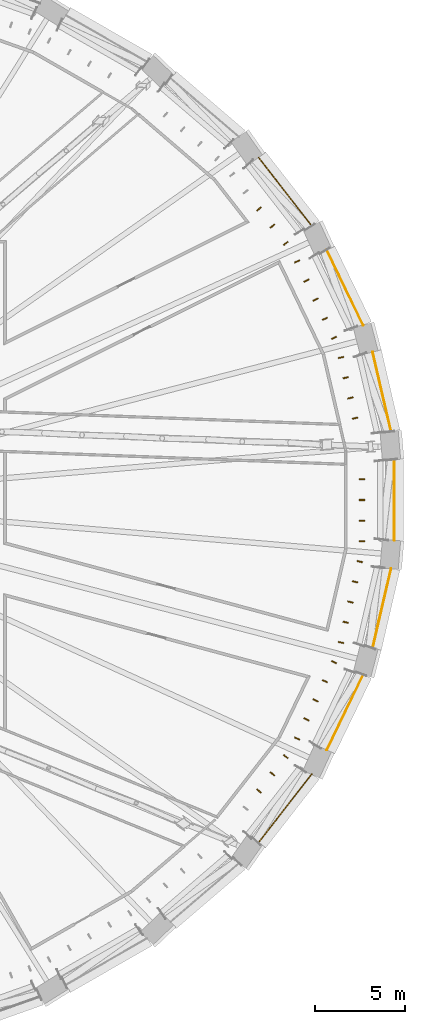
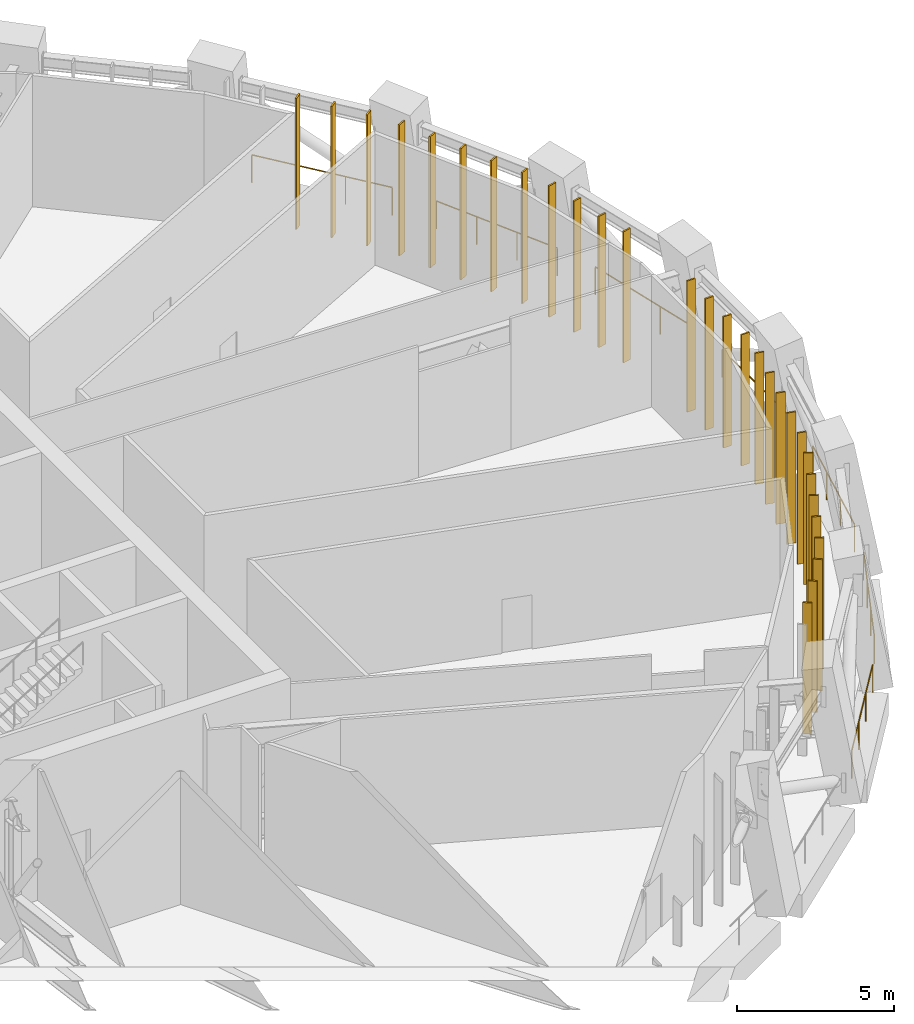
# One storey, part 21 of 22: 29 shading devices, 7 railings.
"""IFC4 building model written with IfcOpenShell, lengths in metres."""

import ifcopenshell
import ifcopenshell.guid

model = None  # the IFC model being written
_history = None  # IfcOwnerHistory: only IFC2X3 demands one
_inside = {}  # id of a spatial element -> (the spatial element, [elements in it])
_under = {}  # id of a project, library or spatial element -> (it, [spatial elements below it])
_declared = {}  # id of a project -> (the project, [libraries it declares])
_typed = {}  # id of a type object -> (the type object, [elements of that type])
_made_of = {}  # id of a material, layer set ... -> (it, [elements and type objects made of it])


def new_model(schema):
    """Start an empty IFC model of exactly this schema.

    Asked for "IFC4X3", IfcOpenShell would pick the latest addendum, in which some entities
    have other attributes; the version numbers below select the first issue.
    IFC2X3 requires an IfcOwnerHistory on every rooted entity: one is made here for all.
    """
    global model, _history
    if schema == "IFC4X3":
        model = ifcopenshell.file(schema_version=(4, 3, 0, 0))
    else:
        model = ifcopenshell.file(schema=schema)
    _inside.clear()
    _under.clear()
    _declared.clear()
    _typed.clear()
    _made_of.clear()
    _history = None
    if model.schema == "IFC2X3":
        org = make("IfcOrganization", Name="unknown")
        user = make(
            "IfcPersonAndOrganization",
            ThePerson=make("IfcPerson", FamilyName="unknown"),
            TheOrganization=org,
        )
        app = make(
            "IfcApplication",
            ApplicationDeveloper=org,
            Version="unknown",
            ApplicationFullName="unknown",
            ApplicationIdentifier="unknown",
        )
        _history = make(
            "IfcOwnerHistory",
            OwningUser=user,
            OwningApplication=app,
            ChangeAction="ADDED",
            CreationDate=0,
        )
    return model


def make(cls, **values):
    """One entity of the class cls with the attributes given. An attribute that is None is left unset."""
    return model.create_entity(
        cls, **{name: value for name, value in values.items() if value is not None}
    )


def rooted(cls, **values):
    """An entity with a GlobalId (a new one), such as an element, a storey or a relation."""
    return make(cls, GlobalId=ifcopenshell.guid.new(), OwnerHistory=_history, **values)


def si_unit(unit_type, name, prefix=None):
    """IfcSIUnit, for example si_unit("LENGTHUNIT", "METRE", prefix="MILLI")."""
    return make("IfcSIUnit", UnitType=unit_type, Prefix=prefix, Name=name)


def assignment(units):
    """IfcUnitAssignment: the units of a project."""
    return None if units is None else make("IfcUnitAssignment", Units=units)


def point(xyz):
    """IfcCartesianPoint."""
    return None if xyz is None else make("IfcCartesianPoint", Coordinates=xyz)


def direction(xyz):
    """IfcDirection."""
    return None if xyz is None else make("IfcDirection", DirectionRatios=xyz)


def frame(location, z_axis=None, x_axis=None):
    """IfcAxis2Placement3D, a coordinate frame: its origin and axes. An axis left out is left unset."""
    return make(
        "IfcAxis2Placement3D",
        Location=point(location),
        Axis=direction(z_axis),
        RefDirection=direction(x_axis),
    )


def frame_2d(location, x_axis=None):
    """IfcAxis2Placement2D, a coordinate frame in the plane: its origin and x axis."""
    return make(
        "IfcAxis2Placement2D", Location=point(location), RefDirection=direction(x_axis)
    )


def origin():
    """The frame at (0, 0, 0) with its axes left unset."""
    return frame((0.0, 0.0, 0.0))


def origin_2d():
    """The frame at (0, 0) in the plane with its x axis left unset."""
    return frame_2d((0.0, 0.0))


def place(relative_to, where):
    """IfcLocalPlacement: puts the frame where relative to a parent placement (None: the world)."""
    return make(
        "IfcLocalPlacement", PlacementRelTo=relative_to, RelativePlacement=where
    )


def context(
    kind, dimensions, precision=None, world=None, true_north=None, identifier=None
):
    """IfcGeometricRepresentationContext, for example the 3D "Model" context."""
    return make(
        "IfcGeometricRepresentationContext",
        ContextIdentifier=identifier,
        ContextType=kind,
        CoordinateSpaceDimension=dimensions,
        Precision=precision,
        WorldCoordinateSystem=world,
        TrueNorth=true_north,
    )


def subcontext(parent, identifier, kind, view, scale=None):
    """IfcGeometricRepresentationSubContext, for example "Body" below "Model"."""
    return make(
        "IfcGeometricRepresentationSubContext",
        ContextIdentifier=identifier,
        ContextType=kind,
        ParentContext=parent,
        TargetScale=scale,
        TargetView=view,
    )


def project(units=None, contexts=None):
    """IfcProject with its units and contexts."""
    return rooted(
        "IfcProject",
        Name="project",
        RepresentationContexts=contexts,
        UnitsInContext=assignment(units),
    )


def spatial(cls, under=None, at=None, **own):
    """A site, building, storey or space (cls), placed at a placement, below another one or the project."""
    s = rooted(cls, ObjectPlacement=at, **own)
    if under is not None:
        _under.setdefault(under.id(), (under, []))[1].append(s)
    return s


def profile(cls, at=None, kind="AREA", **sizes):
    """A parametric profile (cls). Its sizes go by their IFC names, for example OverallWidth=200.0."""
    return make(cls, ProfileType=kind, Position=at, **sizes)


def rectangle(**sizes):
    """IfcRectangleProfileDef."""
    return profile("IfcRectangleProfileDef", **sizes)


def circle(**sizes):
    """IfcCircleProfileDef."""
    return profile("IfcCircleProfileDef", **sizes)


def extrude(swept, where, along, depth):
    """IfcExtrudedAreaSolid: the profile swept, set in the frame where, extruded along a direction by depth."""
    return make(
        "IfcExtrudedAreaSolid",
        SweptArea=swept,
        Position=where,
        ExtrudedDirection=direction(along),
        Depth=depth,
    )


def shape(context_of_items, identifier, shape_type, items):
    """IfcShapeRepresentation: the items that make up one representation, for example the "Body"."""
    return make(
        "IfcShapeRepresentation",
        ContextOfItems=context_of_items,
        RepresentationIdentifier=identifier,
        RepresentationType=shape_type,
        Items=items,
    )


def material(Name=None, Category=None):
    """IfcMaterial."""
    return make("IfcMaterial", Name=Name, Category=Category)


def material_profile(
    of_material, cross_section, Name=None, Category=None, Priority=None
):
    """IfcMaterialProfile: a cross section and its material."""
    return make(
        "IfcMaterialProfile",
        Name=Name,
        Material=of_material,
        Profile=cross_section,
        Priority=Priority,
        Category=Category,
    )


def profile_set(profiles, Name=None, composite=None):
    """IfcMaterialProfileSet."""
    return make(
        "IfcMaterialProfileSet",
        Name=Name,
        MaterialProfiles=profiles,
        CompositeProfile=composite,
    )


def made_of(thing, what):
    """Note that an element or type object is made of a material, layer set ...; save() writes the relation."""
    if what is not None:
        _made_of.setdefault(what.id(), (what, []))[1].append(thing)
    return thing


def type_object(cls, material=None, **own):
    """A type object (cls), such as IfcWallType, which elements share."""
    return made_of(rooted(cls, **own), material)


def element(
    cls,
    number,
    at=None,
    inside=None,
    cuts=None,
    type_object=None,
    material=None,
    context=None,
    identifier="Body",
    shape_type=None,
    held_by="IfcProductDefinitionShape",
    body=None,
    shapes=None,
    **own,
):
    """One element of the class cls, such as IfcWall. Its Tag is "e" and its number.

    at: its placement. inside: the storey or other place that contains it. cuts: it is an
    opening in that element (IfcRelVoidsElement). A single representation is given by context,
    identifier, shape_type and body (its items); several are given by shapes. held_by: the class
    of the entity that holds the representations. save() writes the other relations.
    """
    e = rooted(cls, Tag="e%d" % number, ObjectPlacement=at, **own)
    if body is not None:
        shapes = [shape(context, identifier, shape_type, body)]
    if shapes is not None:
        e.Representation = make(held_by, Representations=shapes)
    if inside is not None:
        _inside.setdefault(inside.id(), (inside, []))[1].append(e)
    if cuts is not None:
        rooted(
            "IfcRelVoidsElement", RelatingBuildingElement=cuts, RelatedOpeningElement=e
        )
    if type_object is not None:
        _typed.setdefault(type_object.id(), (type_object, []))[1].append(e)
    return made_of(e, material)


def aggregate(whole, parts):
    """IfcRelAggregates: a whole, such as a stair, and the parts it consists of."""
    return rooted("IfcRelAggregates", RelatingObject=whole, RelatedObjects=parts)


def save(model, path):
    """Write the relations noted so far, then the file.

    IfcRelAggregates (storeys below a building ...), IfcRelContainedInSpatialStructure (elements
    in a storey), IfcRelDefinesByType, IfcRelAssociatesMaterial and IfcRelDeclares: one each for
    every whole, place, type object, material and project.
    """
    for whole, parts in _under.values():
        aggregate(whole, parts)
    for where, things in _inside.values():
        rooted(
            "IfcRelContainedInSpatialStructure",
            RelatedElements=things,
            RelatingStructure=where,
        )
    for kind, things in _typed.values():
        rooted("IfcRelDefinesByType", RelatedObjects=things, RelatingType=kind)
    for what, things in _made_of.values():
        rooted("IfcRelAssociatesMaterial", RelatedObjects=things, RelatingMaterial=what)
    for by, libraries in _declared.values():
        rooted("IfcRelDeclares", RelatingContext=by, RelatedDefinitions=libraries)
    model.write(path)


model = new_model("IFC4")

# Units and contexts
model_context = context("Model", 3, precision=1e-05, world=origin(), true_north=direction((0.0, 1.0)))
body_context = subcontext(model_context, "Body", "Model", "MODEL_VIEW")
ifc_project = project(units=[si_unit("LENGTHUNIT", "METRE"), si_unit("AREAUNIT", "SQUARE_METRE"), si_unit("VOLUMEUNIT", "CUBIC_METRE"), si_unit("PLANEANGLEUNIT", "RADIAN"), si_unit("MASSUNIT", "GRAM", prefix="KILO")], contexts=[model_context])

# Site, building, storey
site_placement = place(None, origin())
site = spatial("IfcSite", under=ifc_project, at=site_placement, CompositionType="ELEMENT")
building_placement = place(site_placement, origin())
building = spatial("IfcBuilding", under=site, at=building_placement, Name="Halqa Exchange Tower", CompositionType="ELEMENT")
storey_placement = place(building_placement, frame((0.0, 0.0, 99.10009765625)))
storey = spatial("IfcBuildingStorey", under=building, at=storey_placement, Name="L22", CompositionType="ELEMENT", Elevation=99.10009765625)

# Shading devices
ifc_material_1 = material(Name="Anodised aluminium", Category="aluminium")
ifc_material_profile = material_profile(ifc_material_1, rectangle(XDim=0.300048828125, YDim=0.06005859375, at=origin_2d()), Name="AL FIN 300x60")
ifc_profile_set = profile_set([ifc_material_profile], Name="Anodised aluminium")
shading_device_type = type_object("IfcShadingDeviceType", Name="Aluminium louvre FIN 300 x 60", PredefinedType="USERDEFINED", material=ifc_profile_set)
for number, where, z_axis, x_axis, name in (
    (1, (33.927001953125, 4.565185546875, 0.0), (0.0, 0.0, 1.0), (-0.974111871643, -0.226066498012, 0.0), "Louvre FIN 1.2"),
    (2, (33.665283203125, 5.693115234375, 0.0), (0.0, 0.0, 1.0), (-0.974111871643, -0.226066498012, 0.0), "Louvre FIN 1.3"),
    (3, (33.4033203125, 6.82080078125, 0.0), (0.0, 0.0, 1.0), (-0.974111871643, -0.226066498012, 0.0), "Louvre FIN 1.4"),
    (4, (33.1416015625, 7.948974609375, 0.0), (0.0, 0.0, 1.0), (-0.974111871643, -0.226066498012, 0.0), "Louvre FIN 1.5"),
    (5, (32.753662109375, 9.044921875, 0.0), (0.0, 0.0, 1.0), (-0.900384088715, -0.435095958139, 0.0), "Louvre FIN 2.1"),
    (6, (32.2392578125, 10.109130859375, 0.0), (0.0, 0.0, 1.0), (-0.900384088715, -0.435095958139, 0.0), "Louvre FIN 2.2"),
    (7, (31.72509765625, 11.173583984375, 0.0), (0.0, 0.0, 1.0), (-0.900384088715, -0.435095958139, 0.0), "Louvre FIN 2.3"),
    (8, (31.210693359375, 12.23779296875, 0.0), (0.0, 0.0, 1.0), (-0.900384088715, -0.435095958139, 0.0), "Louvre FIN 2.4"),
    (9, (30.696533203125, 13.302001953125, 0.0), (0.0, 0.0, 1.0), (-0.900384088715, -0.435095958139, 0.0), "Louvre FIN 2.5"),
    (10, (30.065185546875, 14.314208984375, 0.0), (0.0, 0.0, 1.0), (-0.788675428901, -0.614809781841, 0.0), "Louvre FIN 3.1"),
    (11, (29.31689453125, 15.274169921875, 0.0), (0.0, 0.0, 1.0), (-0.788675428901, -0.614809781841, 0.0), "Louvre FIN 3.2"),
    (12, (28.568603515625, 16.234130859375, 0.0), (0.0, 0.0, 1.0), (-0.788675428901, -0.614809781841, 0.0), "Louvre FIN 3.3"),
    (13, (28.568603515625, -16.234130859375, 0.0), (0.0, 0.0, 1.0), (-0.788675428901, 0.614809781841, 0.0), "Louvre FIN 29.3"),
    (14, (29.31689453125, -15.274169921875, 0.0), (0.0, 0.0, 1.0), (-0.788675428901, 0.614809781841, 0.0), "Louvre FIN 29.4"),
    (15, (30.065185546875, -14.314208984375, 0.0), (0.0, 0.0, 1.0), (-0.788675428901, 0.614809781841, 0.0), "Louvre FIN 29.5"),
    (16, (30.696533203125, -13.302001953125, 0.0), (0.0, 0.0, 1.0), (-0.900384088715, 0.435095958139, 0.0), "Louvre FIN 30.1"),
    (17, (31.210693359375, -12.23779296875, 0.0), (0.0, 0.0, 1.0), (-0.900384088715, 0.435095958139, 0.0), "Louvre FIN 30.2"),
    (18, (31.72509765625, -11.173583984375, 0.0), (0.0, 0.0, 1.0), (-0.900384088715, 0.435095958139, 0.0), "Louvre FIN 30.3"),
    (19, (32.2392578125, -10.109130859375, 0.0), (0.0, 0.0, 1.0), (-0.900384088715, 0.435095958139, 0.0), "Louvre FIN 30.4"),
    (20, (32.753662109375, -9.044921875, 0.0), (0.0, 0.0, 1.0), (-0.900384088715, 0.435095958139, 0.0), "Louvre FIN 30.5"),
    (21, (33.1416015625, -7.948974609375, 0.0), (0.0, 0.0, 1.0), (-0.974111871643, 0.226066498012, 0.0), "Louvre FIN 31.1"),
    (22, (33.4033203125, -6.82080078125, 0.0), (0.0, 0.0, 1.0), (-0.974111871643, 0.226066498012, 0.0), "Louvre FIN 31.2"),
    (23, (33.665283203125, -5.693115234375, 0.0), (0.0, 0.0, 1.0), (-0.974111871643, 0.226066498012, 0.0), "Louvre FIN 31.3"),
    (24, (33.927001953125, -4.565185546875, 0.0), (0.0, 0.0, 1.0), (-0.974111871643, 0.226066498012, 0.0), "Louvre FIN 31.4"),
    (25, (34.188720703125, -3.437255859375, 0.0), (0.0, 0.0, 1.0), (-0.974111871643, 0.226066498012, 0.0), "Louvre FIN 31.5"),
    (26, (34.319580078125, -2.298583984375, 0.0), (0.0, 0.0, 1.0), (-1.0, 0.0, 0.0), "Louvre FIN 32.1"),
    (27, (34.319580078125, -1.1494140625, 0.0), (0.0, 0.0, 1.0), (-1.0, 0.0, 0.0), "Louvre FIN 32.2"),
    (28, (34.319580078125, 0.0, 0.0), (0.0, 0.0, 1.0), (-1.0, 0.0, 0.0), "Louvre FIN 32.3"),
    (29, (34.319580078125, 1.1494140625, 0.0), (0.0, 0.0, 1.0), (-1.0, 0.0, 0.0), "Louvre FIN 32.4"),
):
    element("IfcShadingDevice", number, at=place(storey_placement, frame(where, z_axis=z_axis, x_axis=x_axis)), inside=storey, type_object=shading_device_type, Name=name, ObjectType="FIN", PredefinedType="USERDEFINED", context=body_context, shape_type="SweptSolid", body=[
        extrude(rectangle(XDim=0.300048828125, YDim=0.06005859375, at=origin_2d()), origin(), (0.0, 0.0, 1.0), 5.099853515625),
    ])

# Railings
ifc_material_2 = material(Name="Stainless steel", Category="steel")
railing_type = type_object("IfcRailingType", Name="Guard 1100 stainless steel", PredefinedType="GUARDRAIL", material=ifc_material_2)
railing_1_placement = place(storey_placement, frame((35.933837890625, 3.828125, 0.0)))
element("IfcRailing", 30, at=railing_1_placement, inside=storey, type_object=railing_type, Name="Band edge guard 1", PredefinedType="GUARDRAIL", context=body_context, shape_type="SweptSolid", body=[
    extrude(circle(Radius=0.02392578125, at=origin_2d()), frame((0.0, 0.0, 1.076171875), z_axis=(-0.226049512148, 0.974115813473, 0.0), x_axis=(-0.974115813473, -0.226049512148, 0.0)), (0.0, 0.0, 1.0), 4.539306640625),
    extrude(circle(Radius=0.02099609375, at=origin_2d()), origin(), (0.0, 0.0, 1.0), 1.052001953125),
    extrude(circle(Radius=0.02099609375, at=origin_2d()), frame((-0.342041015625, 1.473876953125, 0.0)), (0.0, 0.0, 1.0), 1.052001953125),
    extrude(circle(Radius=0.02099609375, at=origin_2d()), frame((-0.68408203125, 2.947998046875, 0.0)), (0.0, 0.0, 1.0), 1.052001953125),
    extrude(circle(Radius=0.02099609375, at=origin_2d()), frame((-1.026123046875, 4.421875, 0.0)), (0.0, 0.0, 1.0), 1.052001953125),
])
railing_2_placement = place(storey_placement, frame((34.37890625, 9.749755859375, 0.0)))
element("IfcRailing", 31, at=railing_2_placement, inside=storey, type_object=railing_type, Name="Band edge guard 2", PredefinedType="GUARDRAIL", context=body_context, shape_type="SweptSolid", body=[
    extrude(circle(Radius=0.02392578125, at=origin_2d()), frame((0.0, 0.0, 1.076171875), z_axis=(-0.435136078438, 0.900364700131, 0.0), x_axis=(-0.900364700131, -0.435136078438, 0.0)), (0.0, 0.0, 1.0), 4.65673828125),
    extrude(circle(Radius=0.02099609375, at=origin_2d()), origin(), (0.0, 0.0, 1.0), 1.052001953125),
    extrude(circle(Radius=0.02099609375, at=origin_2d()), frame((-0.675537109375, 1.397705078125, 0.0)), (0.0, 0.0, 1.0), 1.052001953125),
    extrude(circle(Radius=0.02099609375, at=origin_2d()), frame((-1.350830078125, 2.795166015625, 0.0)), (0.0, 0.0, 1.0), 1.052001953125),
    extrude(circle(Radius=0.02099609375, at=origin_2d()), frame((-2.0263671875, 4.19287109375, 0.0)), (0.0, 0.0, 1.0), 1.052001953125),
])
railing_3_placement = place(storey_placement, frame((31.5126953125, 15.2939453125, 0.0)))
element("IfcRailing", 32, at=railing_3_placement, inside=storey, type_object=railing_type, Name="Band edge guard 3", PredefinedType="GUARDRAIL", context=body_context, shape_type="SweptSolid", body=[
    extrude(circle(Radius=0.02392578125, at=origin_2d()), frame((0.0, 0.0, 1.076171875), z_axis=(-0.614829330742, 0.788660189219, 0.0), x_axis=(-0.788660189219, -0.614829330742, 0.0)), (0.0, 0.0, 1.0), 4.82861328125),
    extrude(circle(Radius=0.02099609375, at=origin_2d()), origin(), (0.0, 0.0, 1.0), 1.052001953125),
    extrude(circle(Radius=0.02099609375, at=origin_2d()), frame((-0.989501953125, 1.269287109375, 0.0)), (0.0, 0.0, 1.0), 1.052001953125),
    extrude(circle(Radius=0.02099609375, at=origin_2d()), frame((-1.979248046875, 2.538818359375, 0.0)), (0.0, 0.0, 1.0), 1.052001953125),
    extrude(circle(Radius=0.02099609375, at=origin_2d()), frame((-2.96875, 3.80810546875, 0.0)), (0.0, 0.0, 1.0), 1.052001953125),
])
railing_4_placement = place(storey_placement, frame((28.5439453125, -19.10205078125, 0.0)))
element("IfcRailing", 33, at=railing_4_placement, inside=storey, type_object=railing_type, Name="Band edge guard 29", PredefinedType="GUARDRAIL", context=body_context, shape_type="SweptSolid", body=[
    extrude(circle(Radius=0.02392578125, at=origin_2d()), frame((0.0, 0.0, 1.076171875), z_axis=(0.614829330742, 0.788660189219, 0.0), x_axis=(-0.788660189219, 0.614829330742, 0.0)), (0.0, 0.0, 1.0), 4.82861328125),
    extrude(circle(Radius=0.02099609375, at=origin_2d()), origin(), (0.0, 0.0, 1.0), 1.052001953125),
    extrude(circle(Radius=0.02099609375, at=origin_2d()), frame((0.989501953125, 1.269287109375, 0.0)), (0.0, 0.0, 1.0), 1.052001953125),
    extrude(circle(Radius=0.02099609375, at=origin_2d()), frame((1.979248046875, 2.538818359375, 0.0)), (0.0, 0.0, 1.0), 1.052001953125),
    extrude(circle(Radius=0.02099609375, at=origin_2d()), frame((2.96875, 3.80810546875, 0.0)), (0.0, 0.0, 1.0), 1.052001953125),
])
railing_5_placement = place(storey_placement, frame((32.3525390625, -13.942626953125, 0.0)))
element("IfcRailing", 34, at=railing_5_placement, inside=storey, type_object=railing_type, Name="Band edge guard 30", PredefinedType="GUARDRAIL", context=body_context, shape_type="SweptSolid", body=[
    extrude(circle(Radius=0.02392578125, at=origin_2d()), frame((0.0, 0.0, 1.076171875), z_axis=(0.435136078438, 0.900364700131, 0.0), x_axis=(-0.900364700131, 0.435136078438, 0.0)), (0.0, 0.0, 1.0), 4.65673828125),
    extrude(circle(Radius=0.02099609375, at=origin_2d()), origin(), (0.0, 0.0, 1.0), 1.052001953125),
    extrude(circle(Radius=0.02099609375, at=origin_2d()), frame((0.675537109375, 1.397705078125, 0.0)), (0.0, 0.0, 1.0), 1.052001953125),
    extrude(circle(Radius=0.02099609375, at=origin_2d()), frame((1.350830078125, 2.795166015625, 0.0)), (0.0, 0.0, 1.0), 1.052001953125),
    extrude(circle(Radius=0.02099609375, at=origin_2d()), frame((2.0263671875, 4.19287109375, 0.0)), (0.0, 0.0, 1.0), 1.052001953125),
])
railing_6_placement = place(storey_placement, frame((34.90771484375, -8.25, 0.0)))
element("IfcRailing", 35, at=railing_6_placement, inside=storey, type_object=railing_type, Name="Band edge guard 31", PredefinedType="GUARDRAIL", context=body_context, shape_type="SweptSolid", body=[
    extrude(circle(Radius=0.02392578125, at=origin_2d()), frame((0.0, 0.0, 1.076171875), z_axis=(0.226049512148, 0.974115813473, 0.0), x_axis=(-0.974115813473, 0.226049512148, 0.0)), (0.0, 0.0, 1.0), 4.539306640625),
    extrude(circle(Radius=0.02099609375, at=origin_2d()), origin(), (0.0, 0.0, 1.0), 1.052001953125),
    extrude(circle(Radius=0.02099609375, at=origin_2d()), frame((0.342041015625, 1.473876953125, 0.0)), (0.0, 0.0, 1.0), 1.052001953125),
    extrude(circle(Radius=0.02099609375, at=origin_2d()), frame((0.68408203125, 2.947998046875, 0.0)), (0.0, 0.0, 1.0), 1.052001953125),
    extrude(circle(Radius=0.02099609375, at=origin_2d()), frame((1.026123046875, 4.421875, 0.0)), (0.0, 0.0, 1.0), 1.052001953125),
])
railing_7_placement = place(storey_placement, frame((36.11474609375, -2.248779296875, 0.0)))
element("IfcRailing", 36, at=railing_7_placement, inside=storey, type_object=railing_type, Name="Band edge guard 32", PredefinedType="GUARDRAIL", context=body_context, shape_type="SweptSolid", body=[
    extrude(circle(Radius=0.02392578125, at=origin_2d()), frame((0.0, 0.0, 1.076171875), z_axis=(0.0, 1.0, 0.0), x_axis=(-1.0, 0.0, 0.0)), (0.0, 0.0, 1.0), 4.49755859375),
    extrude(circle(Radius=0.02099609375, at=origin_2d()), origin(), (0.0, 0.0, 1.0), 1.052001953125),
    extrude(circle(Radius=0.02099609375, at=origin_2d()), frame((0.0, 1.499267578125, 0.0)), (0.0, 0.0, 1.0), 1.052001953125),
    extrude(circle(Radius=0.02099609375, at=origin_2d()), frame((0.0, 2.998291015625, 0.0)), (0.0, 0.0, 1.0), 1.052001953125),
    extrude(circle(Radius=0.02099609375, at=origin_2d()), frame((0.0, 4.49755859375, 0.0)), (0.0, 0.0, 1.0), 1.052001953125),
])

save(model, "model.ifc")
